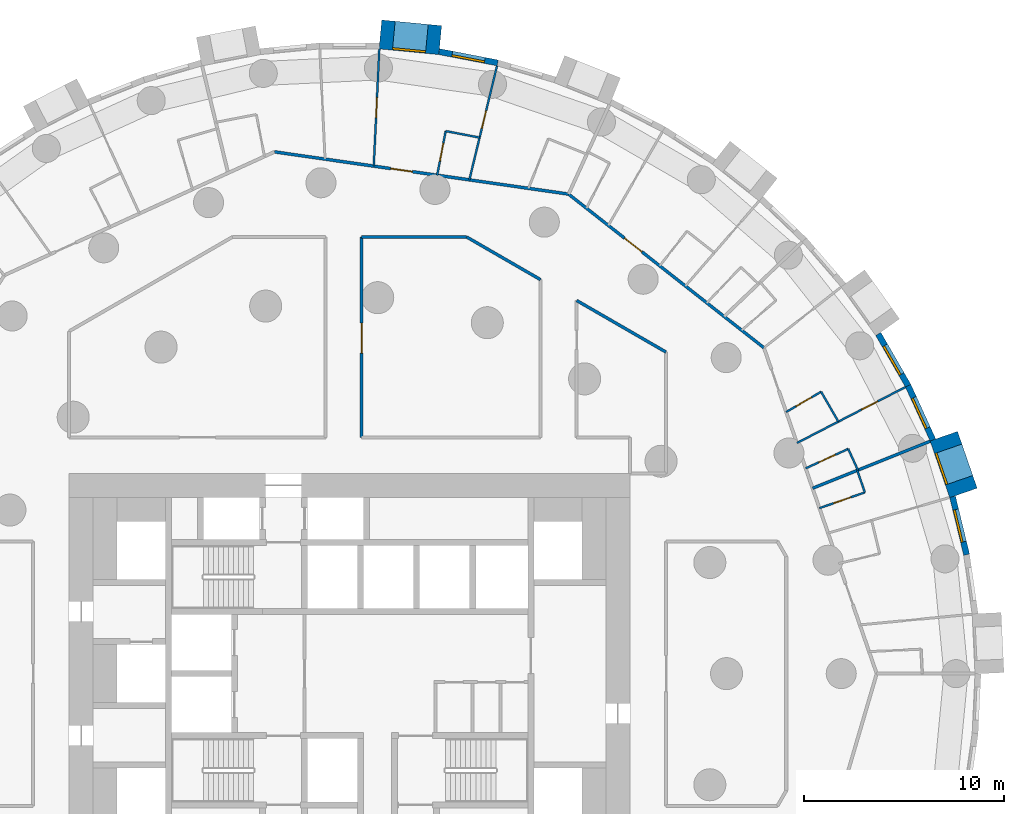
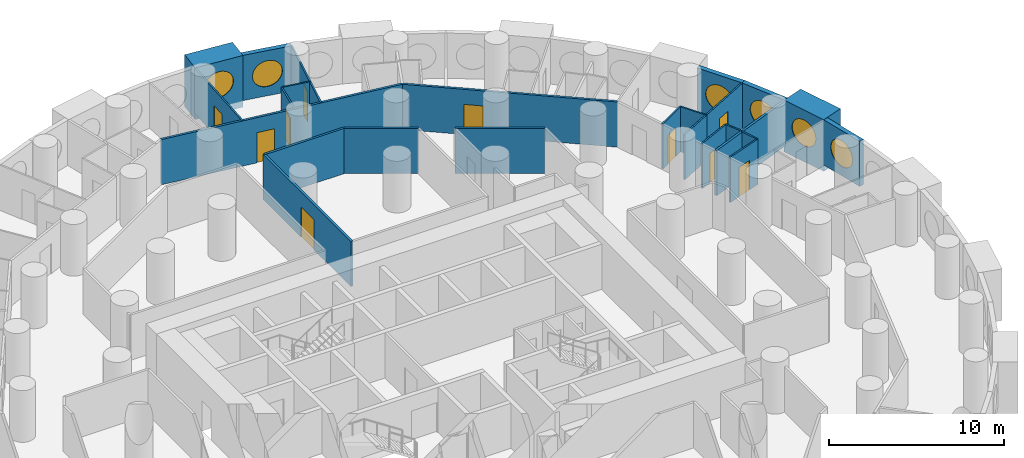
# One storey, part 9 of 12: 27 walls, 10 doors, 6 windows, 16 openings.
"""IFC4 building model written with IfcOpenShell, lengths in metres."""

import ifcopenshell
import ifcopenshell.guid

model = None  # the IFC model being written
_history = None  # IfcOwnerHistory: only IFC2X3 demands one
_inside = {}  # id of a spatial element -> (the spatial element, [elements in it])
_under = {}  # id of a project, library or spatial element -> (it, [spatial elements below it])
_declared = {}  # id of a project -> (the project, [libraries it declares])
_typed = {}  # id of a type object -> (the type object, [elements of that type])
_made_of = {}  # id of a material, layer set ... -> (it, [elements and type objects made of it])


def new_model(schema):
    """Start an empty IFC model of exactly this schema.

    Asked for "IFC4X3", IfcOpenShell would pick the latest addendum, in which some entities
    have other attributes; the version numbers below select the first issue.
    IFC2X3 requires an IfcOwnerHistory on every rooted entity: one is made here for all.
    """
    global model, _history
    if schema == "IFC4X3":
        model = ifcopenshell.file(schema_version=(4, 3, 0, 0))
    else:
        model = ifcopenshell.file(schema=schema)
    _inside.clear()
    _under.clear()
    _declared.clear()
    _typed.clear()
    _made_of.clear()
    _history = None
    if model.schema == "IFC2X3":
        org = make("IfcOrganization", Name="unknown")
        user = make(
            "IfcPersonAndOrganization",
            ThePerson=make("IfcPerson", FamilyName="unknown"),
            TheOrganization=org,
        )
        app = make(
            "IfcApplication",
            ApplicationDeveloper=org,
            Version="unknown",
            ApplicationFullName="unknown",
            ApplicationIdentifier="unknown",
        )
        _history = make(
            "IfcOwnerHistory",
            OwningUser=user,
            OwningApplication=app,
            ChangeAction="ADDED",
            CreationDate=0,
        )
    return model


def make(cls, **values):
    """One entity of the class cls with the attributes given. An attribute that is None is left unset."""
    return model.create_entity(
        cls, **{name: value for name, value in values.items() if value is not None}
    )


def rooted(cls, **values):
    """An entity with a GlobalId (a new one), such as an element, a storey or a relation."""
    return make(cls, GlobalId=ifcopenshell.guid.new(), OwnerHistory=_history, **values)


def si_unit(unit_type, name, prefix=None):
    """IfcSIUnit, for example si_unit("LENGTHUNIT", "METRE", prefix="MILLI")."""
    return make("IfcSIUnit", UnitType=unit_type, Prefix=prefix, Name=name)


def assignment(units):
    """IfcUnitAssignment: the units of a project."""
    return None if units is None else make("IfcUnitAssignment", Units=units)


def point(xyz):
    """IfcCartesianPoint."""
    return None if xyz is None else make("IfcCartesianPoint", Coordinates=xyz)


def direction(xyz):
    """IfcDirection."""
    return None if xyz is None else make("IfcDirection", DirectionRatios=xyz)


def frame(location, z_axis=None, x_axis=None):
    """IfcAxis2Placement3D, a coordinate frame: its origin and axes. An axis left out is left unset."""
    return make(
        "IfcAxis2Placement3D",
        Location=point(location),
        Axis=direction(z_axis),
        RefDirection=direction(x_axis),
    )


def frame_2d(location, x_axis=None):
    """IfcAxis2Placement2D, a coordinate frame in the plane: its origin and x axis."""
    return make(
        "IfcAxis2Placement2D", Location=point(location), RefDirection=direction(x_axis)
    )


def origin():
    """The frame at (0, 0, 0) with its axes left unset."""
    return frame((0.0, 0.0, 0.0))


def origin_2d():
    """The frame at (0, 0) in the plane with its x axis left unset."""
    return frame_2d((0.0, 0.0))


def place(relative_to, where):
    """IfcLocalPlacement: puts the frame where relative to a parent placement (None: the world)."""
    return make(
        "IfcLocalPlacement", PlacementRelTo=relative_to, RelativePlacement=where
    )


def context(
    kind, dimensions, precision=None, world=None, true_north=None, identifier=None
):
    """IfcGeometricRepresentationContext, for example the 3D "Model" context."""
    return make(
        "IfcGeometricRepresentationContext",
        ContextIdentifier=identifier,
        ContextType=kind,
        CoordinateSpaceDimension=dimensions,
        Precision=precision,
        WorldCoordinateSystem=world,
        TrueNorth=true_north,
    )


def subcontext(parent, identifier, kind, view, scale=None):
    """IfcGeometricRepresentationSubContext, for example "Body" below "Model"."""
    return make(
        "IfcGeometricRepresentationSubContext",
        ContextIdentifier=identifier,
        ContextType=kind,
        ParentContext=parent,
        TargetScale=scale,
        TargetView=view,
    )


def project(units=None, contexts=None):
    """IfcProject with its units and contexts."""
    return rooted(
        "IfcProject",
        Name="project",
        RepresentationContexts=contexts,
        UnitsInContext=assignment(units),
    )


def spatial(cls, under=None, at=None, **own):
    """A site, building, storey or space (cls), placed at a placement, below another one or the project."""
    s = rooted(cls, ObjectPlacement=at, **own)
    if under is not None:
        _under.setdefault(under.id(), (under, []))[1].append(s)
    return s


def profile(cls, at=None, kind="AREA", **sizes):
    """A parametric profile (cls). Its sizes go by their IFC names, for example OverallWidth=200.0."""
    return make(cls, ProfileType=kind, Position=at, **sizes)


def rectangle(**sizes):
    """IfcRectangleProfileDef."""
    return profile("IfcRectangleProfileDef", **sizes)


def circle(**sizes):
    """IfcCircleProfileDef."""
    return profile("IfcCircleProfileDef", **sizes)


def extrude(swept, where, along, depth):
    """IfcExtrudedAreaSolid: the profile swept, set in the frame where, extruded along a direction by depth."""
    return make(
        "IfcExtrudedAreaSolid",
        SweptArea=swept,
        Position=where,
        ExtrudedDirection=direction(along),
        Depth=depth,
    )


def shape(context_of_items, identifier, shape_type, items):
    """IfcShapeRepresentation: the items that make up one representation, for example the "Body"."""
    return make(
        "IfcShapeRepresentation",
        ContextOfItems=context_of_items,
        RepresentationIdentifier=identifier,
        RepresentationType=shape_type,
        Items=items,
    )


def material(Name=None, Category=None):
    """IfcMaterial."""
    return make("IfcMaterial", Name=Name, Category=Category)


def layer(
    of_material, thickness, ventilated=None, Name=None, Category=None, Priority=None
):
    """IfcMaterialLayer: one layer of a wall or slab, of a material (None: an air gap)."""
    return make(
        "IfcMaterialLayer",
        Material=of_material,
        LayerThickness=thickness,
        IsVentilated=ventilated,
        Name=Name,
        Category=Category,
        Priority=Priority,
    )


def layer_set(layers, Name=None):
    """IfcMaterialLayerSet."""
    return make("IfcMaterialLayerSet", MaterialLayers=layers, LayerSetName=Name)


def made_of(thing, what):
    """Note that an element or type object is made of a material, layer set ...; save() writes the relation."""
    if what is not None:
        _made_of.setdefault(what.id(), (what, []))[1].append(thing)
    return thing


def type_object(cls, material=None, **own):
    """A type object (cls), such as IfcWallType, which elements share."""
    return made_of(rooted(cls, **own), material)


def element(
    cls,
    number,
    at=None,
    inside=None,
    cuts=None,
    type_object=None,
    material=None,
    context=None,
    identifier="Body",
    shape_type=None,
    held_by="IfcProductDefinitionShape",
    body=None,
    shapes=None,
    **own,
):
    """One element of the class cls, such as IfcWall. Its Tag is "e" and its number.

    at: its placement. inside: the storey or other place that contains it. cuts: it is an
    opening in that element (IfcRelVoidsElement). A single representation is given by context,
    identifier, shape_type and body (its items); several are given by shapes. held_by: the class
    of the entity that holds the representations. save() writes the other relations.
    """
    e = rooted(cls, Tag="e%d" % number, ObjectPlacement=at, **own)
    if body is not None:
        shapes = [shape(context, identifier, shape_type, body)]
    if shapes is not None:
        e.Representation = make(held_by, Representations=shapes)
    if inside is not None:
        _inside.setdefault(inside.id(), (inside, []))[1].append(e)
    if cuts is not None:
        rooted(
            "IfcRelVoidsElement", RelatingBuildingElement=cuts, RelatedOpeningElement=e
        )
    if type_object is not None:
        _typed.setdefault(type_object.id(), (type_object, []))[1].append(e)
    return made_of(e, material)


def fill(opening, filler):
    """IfcRelFillsElement: the door or window that sits in an opening."""
    return rooted(
        "IfcRelFillsElement",
        RelatingOpeningElement=opening,
        RelatedBuildingElement=filler,
    )


def aggregate(whole, parts):
    """IfcRelAggregates: a whole, such as a stair, and the parts it consists of."""
    return rooted("IfcRelAggregates", RelatingObject=whole, RelatedObjects=parts)


def save(model, path):
    """Write the relations noted so far, then the file.

    IfcRelAggregates (storeys below a building ...), IfcRelContainedInSpatialStructure (elements
    in a storey), IfcRelDefinesByType, IfcRelAssociatesMaterial and IfcRelDeclares: one each for
    every whole, place, type object, material and project.
    """
    for whole, parts in _under.values():
        aggregate(whole, parts)
    for where, things in _inside.values():
        rooted(
            "IfcRelContainedInSpatialStructure",
            RelatedElements=things,
            RelatingStructure=where,
        )
    for kind, things in _typed.values():
        rooted("IfcRelDefinesByType", RelatedObjects=things, RelatingType=kind)
    for what, things in _made_of.values():
        rooted("IfcRelAssociatesMaterial", RelatedObjects=things, RelatingMaterial=what)
    for by, libraries in _declared.values():
        rooted("IfcRelDeclares", RelatingContext=by, RelatedDefinitions=libraries)
    model.write(path)


model = new_model("IFC4")

# Units and contexts
model_context = context("Model", 3, precision=1e-05, world=origin(), true_north=direction((0.0, 1.0)))
body_context = subcontext(model_context, "Body", "Model", "MODEL_VIEW")
ifc_project = project(units=[si_unit("LENGTHUNIT", "METRE"), si_unit("AREAUNIT", "SQUARE_METRE"), si_unit("VOLUMEUNIT", "CUBIC_METRE"), si_unit("PLANEANGLEUNIT", "RADIAN"), si_unit("MASSUNIT", "GRAM", prefix="KILO")], contexts=[model_context])

# Site, building, storey
site_placement = place(None, origin())
site = spatial("IfcSite", under=ifc_project, at=site_placement, CompositionType="ELEMENT")
building_placement = place(site_placement, origin())
building = spatial("IfcBuilding", under=site, at=building_placement, Name="Tracery Tower", CompositionType="ELEMENT")
storey_placement = place(building_placement, frame((0.0, 0.0, 39.0)))
storey = spatial("IfcBuildingStorey", under=building, at=storey_placement, Name="L08", CompositionType="ELEMENT", Elevation=39.0)

# Wall, opening, window
ifc_material_1 = material(Name="Precast concrete C50/60", Category="concrete")
ifc_layer_1 = layer(ifc_material_1, 1.449951171875)
ifc_layer_set_1 = layer_set([ifc_layer_1], Name="Deep-set bay unit 3000 x 3600, slab edge 450")
wall_type_1 = type_object("IfcWallType", Name="Deep-set bay unit 3000 x 3600, slab edge 450", PredefinedType="ELEMENTEDWALL", material=ifc_layer_set_1)
wall_1_placement = place(storey_placement, frame((30.649169921875, 9.0205078125, -0.449951171875), z_axis=(0.0, 0.0, 1.0), x_axis=(-0.327071431777, 0.944999618262, 0.0)))
wall_1 = element("IfcWall", 1, at=wall_1_placement, inside=storey, type_object=wall_type_1, Name="Deep-set bay unit 4 at L08", PredefinedType="ELEMENTEDWALL", context=body_context, shape_type="SweptSolid", body=[
    extrude(rectangle(XDim=3.0, YDim=1.449951171875, at=frame_2d((1.5, 0.0))), origin(), (0.0, 0.0, 1.0), 3.599853515625),
])
opening_1_placement = place(wall_1_placement, frame((1.5, 0.0, 2.0)))
opening_1 = element("IfcOpeningElement", 2, at=opening_1_placement, cuts=wall_1, Name="Opening WN1", PredefinedType="OPENING", context=body_context, shape_type="SweptSolid", body=[
    extrude(circle(Radius=0.9000244140625, at=origin_2d()), frame((0.0, 0.73486328125, 0.0), z_axis=(0.0, -1.0, 0.0), x_axis=(1.0, 0.0, 0.0)), (0.0, 0.0, 1.0), 1.469970703125),
])
ifc_material_2 = material(Name="Aluminium frame with tinted double glazing", Category="aluminium")
window_type = type_object("IfcWindowType", Name="Round window 1800", PartitioningType="SINGLE_PANEL", PredefinedType="WINDOW", material=ifc_material_2)
window_1_placement = place(opening_1_placement, origin())
window_1 = element("IfcWindow", 3, at=window_1_placement, inside=storey, type_object=window_type, Name="Round window 4 at L08", OverallHeight=1.800048828125, OverallWidth=1.800048828125, PartitioningType="SINGLE_PANEL", PredefinedType="WINDOW", context=body_context, shape_type="SweptSolid", body=[
    extrude(circle(Radius=0.9000244140625, at=origin_2d()), frame((0.0, 0.69482421875, 0.0), z_axis=(0.0, -1.0, 0.0), x_axis=(1.0, 0.0, 0.0)), (0.0, 0.0, 1.0), 0.10009765625),
])
fill(opening_1, window_1)

wall_2_placement = place(storey_placement, frame((4.52685546875, 31.626708984375, -0.449951171875), z_axis=(0.0, 0.0, 1.0), x_axis=(-0.995472768558, 0.09504718333, 0.0)))
wall_2 = element("IfcWall", 4, at=wall_2_placement, inside=storey, type_object=wall_type_1, Name="Deep-set bay unit 16 at L08", PredefinedType="ELEMENTEDWALL", context=body_context, shape_type="SweptSolid", body=[
    extrude(rectangle(XDim=3.000244140625, YDim=1.449951171875, at=frame_2d((1.5, 0.0))), origin(), (0.0, 0.0, 1.0), 3.599853515625),
])
opening_2_placement = place(wall_2_placement, frame((1.5, 0.0, 2.0)))
opening_2 = element("IfcOpeningElement", 5, at=opening_2_placement, cuts=wall_2, Name="Opening WN1", PredefinedType="OPENING", context=body_context, shape_type="SweptSolid", body=[
    extrude(circle(Radius=0.9000244140625, at=origin_2d()), frame((0.0, 0.73486328125, 0.0), z_axis=(0.0, -1.0, 0.0), x_axis=(1.0, 0.0, 0.0)), (0.0, 0.0, 1.0), 1.469970703125),
])
window_2_placement = place(opening_2_placement, origin())
window_2 = element("IfcWindow", 6, at=window_2_placement, inside=storey, type_object=window_type, Name="Round window 16 at L08", OverallHeight=1.800048828125, OverallWidth=1.800048828125, PartitioningType="SINGLE_PANEL", PredefinedType="WINDOW", context=body_context, shape_type="SweptSolid", body=[
    extrude(circle(Radius=0.9000244140625, at=origin_2d()), frame((0.0, 0.69482421875, 0.0), z_axis=(0.0, -1.0, 0.0), x_axis=(1.0, 0.0, 0.0)), (0.0, 0.0, 1.0), 0.10009765625),
])
fill(opening_2, window_2)

ifc_material_3 = material(Name="Precast concrete C50/60", Category="concrete")
ifc_layer_2 = layer(ifc_material_3, 0.300048828125)
ifc_layer_set_2 = layer_set([ifc_layer_2], Name="Facade panel 3000 x 3150")
wall_type_2 = type_object("IfcWallType", Name="Facade panel 3000 x 3150", PredefinedType="SOLIDWALL", material=ifc_layer_set_2)
wall_3_placement = place(storey_placement, frame((30.807373046875, 5.937744140625, 0.0), z_axis=(0.0, 0.0, 1.0), x_axis=(-0.235743081534, 0.971815414319, 0.0)))
wall_3 = element("IfcWall", 7, at=wall_3_placement, inside=storey, type_object=wall_type_2, Name="Facade panel 3 at L08", PredefinedType="SOLIDWALL", context=body_context, shape_type="SweptSolid", body=[
    extrude(rectangle(XDim=2.9794921875, YDim=0.300048828125, at=frame_2d((1.48974609375, 0.0))), origin(), (0.0, 0.0, 1.0), 3.14990234375),
])
opening_3_placement = place(wall_3_placement, frame((1.48974609375, 0.0, 1.5498046875)))
opening_3 = element("IfcOpeningElement", 8, at=opening_3_placement, cuts=wall_3, Name="Opening WN1", PredefinedType="OPENING", context=body_context, shape_type="SweptSolid", body=[
    extrude(circle(Radius=0.9000244140625, at=origin_2d()), frame((0.0, 0.159912109375, 0.0), z_axis=(0.0, -1.0, 0.0), x_axis=(1.0, 0.0, 0.0)), (0.0, 0.0, 1.0), 0.320068359375),
])
window_3_placement = place(opening_3_placement, origin())
window_3 = element("IfcWindow", 9, at=window_3_placement, inside=storey, type_object=window_type, Name="Round window 3 at L08", OverallHeight=1.800048828125, OverallWidth=1.800048828125, PartitioningType="SINGLE_PANEL", PredefinedType="WINDOW", context=body_context, shape_type="SweptSolid", body=[
    extrude(circle(Radius=0.9000244140625, at=origin_2d()), frame((0.0, 0.1201171875, 0.0), z_axis=(0.0, -1.0, 0.0), x_axis=(1.0, 0.0, 0.0)), (0.0, 0.0, 1.0), 0.10009765625),
])
fill(opening_3, window_3)

wall_4_placement = place(storey_placement, frame((29.12451171875, 11.666259765625, 0.0), z_axis=(0.0, 0.0, 1.0), x_axis=(-0.415407317162, 0.909635509888, 0.0)))
wall_4 = element("IfcWall", 10, at=wall_4_placement, inside=storey, type_object=wall_type_2, Name="Facade panel 5 at L08", PredefinedType="SOLIDWALL", context=body_context, shape_type="SweptSolid", body=[
    extrude(rectangle(XDim=2.979736328125, YDim=0.300048828125, at=frame_2d((1.48974609375, 0.0))), origin(), (0.0, 0.0, 1.0), 3.14990234375),
])
opening_4_placement = place(wall_4_placement, frame((1.48974609375, 0.0, 1.5498046875)))
opening_4 = element("IfcOpeningElement", 11, at=opening_4_placement, cuts=wall_4, Name="Opening WN1", PredefinedType="OPENING", context=body_context, shape_type="SweptSolid", body=[
    extrude(circle(Radius=0.9000244140625, at=origin_2d()), frame((0.0, 0.159912109375, 0.0), z_axis=(0.0, -1.0, 0.0), x_axis=(1.0, 0.0, 0.0)), (0.0, 0.0, 1.0), 0.320068359375),
])
window_4_placement = place(opening_4_placement, origin())
window_4 = element("IfcWindow", 12, at=window_4_placement, inside=storey, type_object=window_type, Name="Round window 5 at L08", OverallHeight=1.800048828125, OverallWidth=1.800048828125, PartitioningType="SINGLE_PANEL", PredefinedType="WINDOW", context=body_context, shape_type="SweptSolid", body=[
    extrude(circle(Radius=0.9000244140625, at=origin_2d()), frame((0.0, 0.1201171875, 0.0), z_axis=(0.0, -1.0, 0.0), x_axis=(1.0, 0.0, 0.0)), (0.0, 0.0, 1.0), 0.10009765625),
])
fill(opening_4, window_4)

wall_5_placement = place(storey_placement, frame((27.88671875, 14.376708984375, 0.0), z_axis=(0.0, 0.0, 1.0), x_axis=(-0.499999078476, 0.866025935826, 0.0)))
wall_5 = element("IfcWall", 13, at=wall_5_placement, inside=storey, type_object=wall_type_2, Name="Facade panel 6 at L08", PredefinedType="SOLIDWALL", context=body_context, shape_type="SweptSolid", body=[
    extrude(rectangle(XDim=2.9794921875, YDim=0.300048828125, at=frame_2d((1.48974609375, 0.0))), origin(), (0.0, 0.0, 1.0), 3.14990234375),
])
opening_5_placement = place(wall_5_placement, frame((1.48974609375, 0.0, 1.5498046875)))
opening_5 = element("IfcOpeningElement", 14, at=opening_5_placement, cuts=wall_5, Name="Opening WN1", PredefinedType="OPENING", context=body_context, shape_type="SweptSolid", body=[
    extrude(circle(Radius=0.9000244140625, at=origin_2d()), frame((0.0, 0.159912109375, 0.0), z_axis=(0.0, -1.0, 0.0), x_axis=(1.0, 0.0, 0.0)), (0.0, 0.0, 1.0), 0.320068359375),
])
window_5_placement = place(opening_5_placement, origin())
window_5 = element("IfcWindow", 15, at=window_5_placement, inside=storey, type_object=window_type, Name="Round window 6 at L08", OverallHeight=1.800048828125, OverallWidth=1.800048828125, PartitioningType="SINGLE_PANEL", PredefinedType="WINDOW", context=body_context, shape_type="SweptSolid", body=[
    extrude(circle(Radius=0.9000244140625, at=origin_2d()), frame((0.0, 0.1201171875, 0.0), z_axis=(0.0, -1.0, 0.0), x_axis=(1.0, 0.0, 0.0)), (0.0, 0.0, 1.0), 0.10009765625),
])
fill(opening_5, window_5)

wall_6_placement = place(storey_placement, frame((7.396728515625, 30.489990234375, 0.0), z_axis=(0.0, 0.0, 1.0), x_axis=(-0.981924535406, 0.189272836848, 0.0)))
wall_6 = element("IfcWall", 16, at=wall_6_placement, inside=storey, type_object=wall_type_2, Name="Facade panel 15 at L08", PredefinedType="SOLIDWALL", context=body_context, shape_type="SweptSolid", body=[
    extrude(rectangle(XDim=2.979736328125, YDim=0.300048828125, at=frame_2d((1.48974609375, 0.0))), origin(), (0.0, 0.0, 1.0), 3.14990234375),
])
opening_6_placement = place(wall_6_placement, frame((1.48974609375, 0.0, 1.5498046875)))
opening_6 = element("IfcOpeningElement", 17, at=opening_6_placement, cuts=wall_6, Name="Opening WN1", PredefinedType="OPENING", context=body_context, shape_type="SweptSolid", body=[
    extrude(circle(Radius=0.9000244140625, at=origin_2d()), frame((0.0, 0.159912109375, 0.0), z_axis=(0.0, -1.0, 0.0), x_axis=(1.0, 0.0, 0.0)), (0.0, 0.0, 1.0), 0.320068359375),
])
window_6_placement = place(opening_6_placement, origin())
window_6 = element("IfcWindow", 18, at=window_6_placement, inside=storey, type_object=window_type, Name="Round window 15 at L08", OverallHeight=1.800048828125, OverallWidth=1.800048828125, PartitioningType="SINGLE_PANEL", PredefinedType="WINDOW", context=body_context, shape_type="SweptSolid", body=[
    extrude(circle(Radius=0.9000244140625, at=origin_2d()), frame((0.0, 0.1201171875, 0.0), z_axis=(0.0, -1.0, 0.0), x_axis=(1.0, 0.0, 0.0)), (0.0, 0.0, 1.0), 0.10009765625),
])
fill(opening_6, window_6)

# Wall, opening, door
ifc_material_4 = material(Name="Plasterboard on steel studs", Category="steel")
ifc_layer_3 = layer(ifc_material_4, 0.10009765625)
ifc_layer_set_3 = layer_set([ifc_layer_3], Name="Partition 100 stud")
wall_type_3 = type_object("IfcWallType", Name="Partition 100 stud", PredefinedType="PARTITIONING", material=ifc_layer_set_3)
wall_7_placement = place(storey_placement, frame((24.404052734375, 12.58203125, 0.0), z_axis=(0.0, 0.0, 1.0), x_axis=(0.888877805079, 0.458144352403, 0.0)))
wall_7 = element("IfcWall", 19, at=wall_7_placement, inside=storey, type_object=wall_type_3, Name="Stud partition RA2-072", PredefinedType="PARTITIONING", context=body_context, shape_type="SweptSolid", body=[
    extrude(rectangle(XDim=3.767578125, YDim=0.10009765625, at=frame_2d((1.8837890625, 0.0))), origin(), (0.0, 0.0, 1.0), 3.14990234375),
])
opening_7_placement = place(wall_7_placement, frame((1.310546875, 0.0, 0.0)))
opening_7 = element("IfcOpeningElement", 20, at=opening_7_placement, cuts=wall_7, Name="Opening RA2-17", PredefinedType="OPENING", context=body_context, shape_type="SweptSolid", body=[
    extrude(rectangle(XDim=0.89990234375, YDim=2.10009765625, at=frame_2d((0.449951171875, 1.050048828125))), frame((0.0, 0.050048828125, 0.0), z_axis=(0.0, -1.0, 0.0), x_axis=(1.0, 0.0, 0.0)), (0.0, 0.0, 1.0), 0.10009765625),
])
ifc_material_5 = material(Name="Timber door leaf", Category="wood")
door_type_1 = type_object("IfcDoorType", Name="Door bedroom 900", OperationType="NOTDEFINED", PredefinedType="DOOR", material=ifc_material_5)
door_1_placement = place(opening_7_placement, origin())
door_1 = element("IfcDoor", 21, at=door_1_placement, inside=storey, type_object=door_type_1, Name="Bedroom door RA2-17", OperationType="SINGLE_SWING_RIGHT", OverallHeight=2.10009765625, OverallWidth=0.89990234375, PredefinedType="DOOR", context=body_context, shape_type="SweptSolid", body=[
    extrude(rectangle(XDim=0.89990234375, YDim=2.10009765625, at=frame_2d((0.449951171875, 1.050048828125))), frame((0.0, 0.02490234375, 0.0), z_axis=(0.0, -1.0, 0.0), x_axis=(1.0, 0.0, 0.0)), (0.0, 0.0, 1.0), 0.050048828125),
])
fill(opening_7, door_1)

wall_8_placement = place(storey_placement, frame((1.20703125, 25.339111328125, 0.0), z_axis=(0.0, 0.0, 1.0), x_axis=(0.047648334785, 0.998864173045, 0.0)))
wall_8 = element("IfcWall", 22, at=wall_8_placement, inside=storey, type_object=wall_type_3, Name="Stud partition RA2-090", PredefinedType="PARTITIONING", context=body_context, shape_type="SweptSolid", body=[
    extrude(rectangle(XDim=5.8564453125, YDim=0.10009765625, at=frame_2d((2.92822265625, 0.0))), origin(), (0.0, 0.0, 1.0), 3.14990234375),
])
opening_8_placement = place(wall_8_placement, frame((2.427978515625, 0.0, 0.0)))
opening_8 = element("IfcOpeningElement", 23, at=opening_8_placement, cuts=wall_8, Name="Opening RA2-28", PredefinedType="OPENING", context=body_context, shape_type="SweptSolid", body=[
    extrude(rectangle(XDim=1.0, YDim=2.0400390625, at=frame_2d((0.5, 1.02001953125))), frame((0.0, 0.050048828125, 0.0), z_axis=(0.0, -1.0, 0.0), x_axis=(1.0, 0.0, 0.0)), (0.0, 0.0, 1.0), 0.10009765625),
])
ifc_material_6 = material(Name="Timber door leaf", Category="wood")
door_type_2 = type_object("IfcDoorType", Name="Door communal room 1000", OperationType="NOTDEFINED", PredefinedType="DOOR", material=ifc_material_6)
door_2_placement = place(opening_8_placement, origin())
door_2 = element("IfcDoor", 24, at=door_2_placement, inside=storey, type_object=door_type_2, Name="Communal room door RA2-28", OperationType="SINGLE_SWING_LEFT", OverallHeight=2.0400390625, OverallWidth=1.0, PredefinedType="DOOR", context=body_context, shape_type="SweptSolid", body=[
    extrude(rectangle(XDim=1.0, YDim=2.0400390625, at=frame_2d((0.5, 1.02001953125))), frame((0.0, 0.02490234375, 0.0), z_axis=(0.0, -1.0, 0.0), x_axis=(1.0, 0.0, 0.0)), (0.0, 0.0, 1.0), 0.050048828125),
])
fill(opening_8, door_2)

wall_9_placement = place(storey_placement, frame((6.491943359375, 26.761962890625, 0.0), z_axis=(0.0, 0.0, 1.0), x_axis=(0.235797175218, 0.971802290674, 0.0)))
wall_9 = element("IfcWall", 25, at=wall_9_placement, inside=storey, type_object=wall_type_3, Name="Stud partition RA2-093", PredefinedType="PARTITIONING", context=body_context, shape_type="SweptSolid", body=[
    extrude(rectangle(XDim=3.68603515625, YDim=0.10009765625, at=frame_2d((1.843017578125, 0.0))), origin(), (0.0, 0.0, 1.0), 3.14990234375),
])
opening_9_placement = place(wall_9_placement, frame((0.473876953125, 0.0, 0.0)))
opening_9 = element("IfcOpeningElement", 26, at=opening_9_placement, cuts=wall_9, Name="Opening RA2-30", PredefinedType="OPENING", context=body_context, shape_type="SweptSolid", body=[
    extrude(rectangle(XDim=0.89990234375, YDim=2.10009765625, at=frame_2d((0.449951171875, 1.050048828125))), frame((0.0, 0.050048828125, 0.0), z_axis=(0.0, -1.0, 0.0), x_axis=(1.0, 0.0, 0.0)), (0.0, 0.0, 1.0), 0.10009765625),
])
door_3_placement = place(opening_9_placement, origin())
door_3 = element("IfcDoor", 27, at=door_3_placement, inside=storey, type_object=door_type_1, Name="Bedroom door RA2-30", OperationType="SINGLE_SWING_RIGHT", OverallHeight=2.10009765625, OverallWidth=0.89990234375, PredefinedType="DOOR", context=body_context, shape_type="SweptSolid", body=[
    extrude(rectangle(XDim=0.89990234375, YDim=2.10009765625, at=frame_2d((0.449951171875, 1.050048828125))), frame((0.0, 0.02490234375, 0.0), z_axis=(0.0, -1.0, 0.0), x_axis=(1.0, 0.0, 0.0)), (0.0, 0.0, 1.0), 0.050048828125),
])
fill(opening_9, door_3)

ifc_material_7 = material(Name="Plasterboard on steel studs", Category="steel")
ifc_layer_4 = layer(ifc_material_7, 0.10009765625)
ifc_layer_set_4 = layer_set([ifc_layer_4], Name="Partition 100 wet wall")
wall_type_4 = type_object("IfcWallType", Name="Partition 100 wet wall", PredefinedType="PARTITIONING", material=ifc_layer_set_4)
wall_10_placement = place(storey_placement, frame((23.458984375, 8.262939453125, 0.0), z_axis=(0.0, 0.0, 1.0), x_axis=(0.944978817091, 0.327131525917, 0.0)))
wall_10 = element("IfcWall", 28, at=wall_10_placement, inside=storey, type_object=wall_type_4, Name="Wet wall RA2-066", PredefinedType="PARTITIONING", context=body_context, shape_type="SweptSolid", body=[
    extrude(rectangle(XDim=2.400146484375, YDim=0.10009765625, at=frame_2d((1.2001953125, 0.0))), origin(), (0.0, 0.0, 1.0), 3.14990234375),
])
opening_10_placement = place(wall_10_placement, frame((0.75, 0.0, 0.0)))
opening_10 = element("IfcOpeningElement", 29, at=opening_10_placement, cuts=wall_10, Name="Opening RA2-14", PredefinedType="OPENING", context=body_context, shape_type="SweptSolid", body=[
    extrude(rectangle(XDim=0.89990234375, YDim=2.0400390625, at=frame_2d((0.449951171875, 1.02001953125))), frame((0.0, 0.050048828125, 0.0), z_axis=(0.0, -1.0, 0.0), x_axis=(1.0, 0.0, 0.0)), (0.0, 0.0, 1.0), 0.10009765625),
])
ifc_material_8 = material(Name="Timber door leaf", Category="wood")
door_type_3 = type_object("IfcDoorType", Name="Door en-suite 900", OperationType="NOTDEFINED", PredefinedType="DOOR", material=ifc_material_8)
door_4_placement = place(opening_10_placement, origin())
door_4 = element("IfcDoor", 30, at=door_4_placement, inside=storey, type_object=door_type_3, Name="En-suite door RA2-14", OperationType="SINGLE_SWING_LEFT", OverallHeight=2.0400390625, OverallWidth=0.89990234375, PredefinedType="DOOR", context=body_context, shape_type="SweptSolid", body=[
    extrude(rectangle(XDim=0.89990234375, YDim=2.0400390625, at=frame_2d((0.449951171875, 1.02001953125))), frame((0.0, 0.02490234375, 0.0), z_axis=(0.0, -1.0, 0.0), x_axis=(1.0, 0.0, 0.0)), (0.0, 0.0, 1.0), 0.050048828125),
])
fill(opening_10, door_4)

# Walls
wall_11_placement = place(storey_placement, frame((25.345947265625, 10.14697265625, 0.0), z_axis=(0.0, 0.0, 1.0), x_axis=(0.327665639351, -0.944793749338, 0.0)))
element("IfcWall", 31, at=wall_11_placement, inside=storey, type_object=wall_type_4, Name="Wet wall RA2-067", PredefinedType="PARTITIONING", context=body_context, shape_type="SweptSolid", body=[
    extrude(rectangle(XDim=1.1630859375, YDim=0.10009765625, at=frame_2d((0.58154296875, 0.0))), origin(), (0.0, 0.0, 1.0), 3.14990234375),
])
wall_12_placement = place(storey_placement, frame((23.5439453125, 14.072021484375, 0.0), z_axis=(0.0, 0.0, 1.0), x_axis=(0.499939472521, -0.866060346521, 0.0)))
element("IfcWall", 32, at=wall_12_placement, inside=storey, type_object=wall_type_4, Name="Wet wall RA2-070", PredefinedType="PARTITIONING", context=body_context, shape_type="SweptSolid", body=[
    extrude(rectangle(XDim=1.720458984375, YDim=0.10009765625, at=frame_2d((0.8603515625, 0.0))), origin(), (0.0, 0.0, 1.0), 3.14990234375),
])

# Wall, opening, door
wall_13_placement = place(storey_placement, frame((21.798095703125, 13.06298828125, 0.0), z_axis=(0.0, 0.0, 1.0), x_axis=(0.865796302872, 0.500396604638, 0.0)))
wall_13 = element("IfcWall", 33, at=wall_13_placement, inside=storey, type_object=wall_type_4, Name="Wet wall RA2-071", PredefinedType="PARTITIONING", context=body_context, shape_type="SweptSolid", body=[
    extrude(rectangle(XDim=2.016357421875, YDim=0.10009765625, at=frame_2d((1.00830078125, 0.0))), origin(), (0.0, 0.0, 1.0), 3.14990234375),
])
opening_11_placement = place(wall_13_placement, frame((0.55859375, 0.0, 0.0)))
opening_11 = element("IfcOpeningElement", 34, at=opening_11_placement, cuts=wall_13, Name="Opening RA2-16", PredefinedType="OPENING", context=body_context, shape_type="SweptSolid", body=[
    extrude(rectangle(XDim=0.89990234375, YDim=2.0, at=frame_2d((0.449951171875, 1.0))), frame((0.0, 0.050048828125, 0.0), z_axis=(0.0, -1.0, 0.0), x_axis=(1.0, 0.0, 0.0)), (0.0, 0.0, 1.0), 0.10009765625),
])
ifc_material_9 = material(Name="Timber door leaf", Category="wood")
door_type_4 = type_object("IfcDoorType", Name="Door shower room 900", OperationType="NOTDEFINED", PredefinedType="DOOR", material=ifc_material_9)
door_5_placement = place(opening_11_placement, origin())
door_5 = element("IfcDoor", 35, at=door_5_placement, inside=storey, type_object=door_type_4, Name="Shower room door RA2-16", OperationType="SINGLE_SWING_LEFT", OverallHeight=2.0, OverallWidth=0.89990234375, PredefinedType="DOOR", context=body_context, shape_type="SweptSolid", body=[
    extrude(rectangle(XDim=0.89990234375, YDim=2.0, at=frame_2d((0.449951171875, 1.0))), frame((0.0, 0.02490234375, 0.0), z_axis=(0.0, -1.0, 0.0), x_axis=(1.0, 0.0, 0.0)), (0.0, 0.0, 1.0), 0.050048828125),
])
fill(opening_11, door_5)

# Walls
wall_14_placement = place(storey_placement, frame((22.333984375, 11.513916015625, 0.0), z_axis=(0.0, 0.0, 1.0), x_axis=(0.888674390259, 0.45853879672, 0.0)))
element("IfcWall", 36, at=wall_14_placement, inside=storey, type_object=wall_type_4, Name="Wet wall RA2-074", PredefinedType="PARTITIONING", context=body_context, shape_type="SweptSolid", body=[
    extrude(rectangle(XDim=2.329345703125, YDim=0.10009765625, at=frame_2d((1.16455078125, 0.0))), origin(), (0.0, 0.0, 1.0), 3.14990234375),
])
wall_15_placement = place(storey_placement, frame((24.89599609375, 11.219970703125, 0.0), z_axis=(0.0, 0.0, 1.0), x_axis=(0.415254658207, -0.909705209855, 0.0)))
element("IfcWall", 37, at=wall_15_placement, inside=storey, type_object=wall_type_4, Name="Wet wall RA2-075", PredefinedType="PARTITIONING", context=body_context, shape_type="SweptSolid", body=[
    extrude(rectangle(XDim=1.165283203125, YDim=0.10009765625, at=frame_2d((0.58251953125, 0.0))), origin(), (0.0, 0.0, 1.0), 3.14990234375),
])

# Wall, opening, door
wall_16_placement = place(storey_placement, frame((22.77099609375, 10.25, 0.0), z_axis=(0.0, 0.0, 1.0), x_axis=(0.909710320081, 0.415243462969, 0.0)))
wall_16 = element("IfcWall", 38, at=wall_16_placement, inside=storey, type_object=wall_type_4, Name="Wet wall RA2-076", PredefinedType="PARTITIONING", context=body_context, shape_type="SweptSolid", body=[
    extrude(rectangle(XDim=2.3359375, YDim=0.10009765625, at=frame_2d((1.16796875, 0.0))), origin(), (0.0, 0.0, 1.0), 3.14990234375),
])
opening_12_placement = place(wall_16_placement, frame((0.718017578125, 0.0, 0.0)))
opening_12 = element("IfcOpeningElement", 39, at=opening_12_placement, cuts=wall_16, Name="Opening RA2-18", PredefinedType="OPENING", context=body_context, shape_type="SweptSolid", body=[
    extrude(rectangle(XDim=0.89990234375, YDim=2.0400390625, at=frame_2d((0.449951171875, 1.02001953125))), frame((0.0, 0.050048828125, 0.0), z_axis=(0.0, -1.0, 0.0), x_axis=(1.0, 0.0, 0.0)), (0.0, 0.0, 1.0), 0.10009765625),
])
door_6_placement = place(opening_12_placement, origin())
door_6 = element("IfcDoor", 40, at=door_6_placement, inside=storey, type_object=door_type_3, Name="En-suite door RA2-18", OperationType="SINGLE_SWING_RIGHT", OverallHeight=2.0400390625, OverallWidth=0.89990234375, PredefinedType="DOOR", context=body_context, shape_type="SweptSolid", body=[
    extrude(rectangle(XDim=0.89990234375, YDim=2.0400390625, at=frame_2d((0.449951171875, 1.02001953125))), frame((0.0, 0.02490234375, 0.0), z_axis=(0.0, -1.0, 0.0), x_axis=(1.0, 0.0, 0.0)), (0.0, 0.0, 1.0), 0.050048828125),
])
fill(opening_12, door_6)

# Wall
wall_17_placement = place(storey_placement, frame((4.799072265625, 27.087890625, 0.0), z_axis=(0.0, 0.0, 1.0), x_axis=(0.981966020483, -0.189057490243, 0.0)))
element("IfcWall", 41, at=wall_17_placement, inside=storey, type_object=wall_type_4, Name="Wet wall RA2-091", PredefinedType="PARTITIONING", context=body_context, shape_type="SweptSolid", body=[
    extrude(rectangle(XDim=1.723876953125, YDim=0.10009765625, at=frame_2d((0.86181640625, 0.0))), origin(), (0.0, 0.0, 1.0), 3.14990234375),
])

# Wall, opening, door
wall_18_placement = place(storey_placement, frame((4.3740234375, 24.883056640625, 0.0), z_axis=(0.0, 0.0, 1.0), x_axis=(0.189295003519, 0.981920262365, 0.0)))
wall_18 = element("IfcWall", 42, at=wall_18_placement, inside=storey, type_object=wall_type_4, Name="Wet wall RA2-092", PredefinedType="PARTITIONING", context=body_context, shape_type="SweptSolid", body=[
    extrude(rectangle(XDim=2.245361328125, YDim=0.10009765625, at=frame_2d((1.12255859375, 0.0))), origin(), (0.0, 0.0, 1.0), 3.14990234375),
])
opening_13_placement = place(wall_18_placement, frame((0.72265625, 0.0, 0.0)))
opening_13 = element("IfcOpeningElement", 43, at=opening_13_placement, cuts=wall_18, Name="Opening RA2-29", PredefinedType="OPENING", context=body_context, shape_type="SweptSolid", body=[
    extrude(rectangle(XDim=0.89990234375, YDim=2.0, at=frame_2d((0.449951171875, 1.0))), frame((0.0, 0.050048828125, 0.0), z_axis=(0.0, -1.0, 0.0), x_axis=(1.0, 0.0, 0.0)), (0.0, 0.0, 1.0), 0.10009765625),
])
door_7_placement = place(opening_13_placement, origin())
door_7 = element("IfcDoor", 44, at=door_7_placement, inside=storey, type_object=door_type_4, Name="Shower room door RA2-29", OperationType="SINGLE_SWING_LEFT", OverallHeight=2.0, OverallWidth=0.89990234375, PredefinedType="DOOR", context=body_context, shape_type="SweptSolid", body=[
    extrude(rectangle(XDim=0.89990234375, YDim=2.0, at=frame_2d((0.449951171875, 1.0))), frame((0.0, 0.02490234375, 0.0), z_axis=(0.0, -1.0, 0.0), x_axis=(1.0, 0.0, 0.0)), (0.0, 0.0, 1.0), 0.050048828125),
])
fill(opening_13, door_7)

# Walls
wall_19_placement = place(storey_placement, frame((5.98095703125, 24.652099609375, 0.0), z_axis=(0.0, 0.0, 1.0), x_axis=(0.235384360709, 0.971902362757, 0.0)))
element("IfcWall", 45, at=wall_19_placement, inside=storey, type_object=wall_type_4, Name="Wet wall RA2-095", PredefinedType="PARTITIONING", context=body_context, shape_type="SweptSolid", body=[
    extrude(rectangle(XDim=2.1708984375, YDim=0.10009765625, at=frame_2d((1.08544921875, 0.0))), origin(), (0.0, 0.0, 1.0), 3.14990234375),
])
ifc_material_10 = material(Name="Plasterboard on steel studs", Category="steel")
ifc_layer_5 = layer(ifc_material_10, 0.14990234375)
ifc_layer_set_5 = layer_set([ifc_layer_5], Name="Partition 150 acoustic unit wall")
wall_type_5 = type_object("IfcWallType", Name="Partition 150 acoustic unit wall", PredefinedType="PARTITIONING", material=ifc_layer_set_5)
wall_20_placement = place(storey_placement, frame((25.3759765625, 10.158935546875, 0.0), z_axis=(0.0, 0.0, 1.0), x_axis=(0.928368463908, 0.371661129553, 0.0)))
element("IfcWall", 46, at=wall_20_placement, inside=storey, type_object=wall_type_5, Name="Unit wall RA2-068", PredefinedType="PARTITIONING", context=body_context, shape_type="SweptSolid", body=[
    extrude(rectangle(XDim=3.890869140625, YDim=0.14990234375, at=frame_2d((1.9453125, 0.0))), origin(), (0.0, 0.0, 1.0), 3.14990234375),
])
wall_21_placement = place(storey_placement, frame((23.115966796875, 9.25390625, 0.0), z_axis=(0.0, 0.0, 1.0), x_axis=(0.928322407966, 0.371776151559, 0.0)))
element("IfcWall", 47, at=wall_21_placement, inside=storey, type_object=wall_type_5, Name="Unit wall RA2-069", PredefinedType="PARTITIONING", context=body_context, shape_type="SweptSolid", body=[
    extrude(rectangle(XDim=2.402099609375, YDim=0.14990234375, at=frame_2d((1.201171875, 0.0))), origin(), (0.0, 0.0, 1.0), 3.14990234375),
])

# Wall, opening, door
ifc_material_11 = material(Name="Plasterboard on steel studs", Category="steel")
ifc_layer_6 = layer(ifc_material_11, 0.14990234375)
ifc_layer_set_6 = layer_set([ifc_layer_6], Name="Partition 150 corridor wall")
wall_type_6 = type_object("IfcWallType", Name="Partition 150 corridor wall", PredefinedType="PARTITIONING", material=ifc_layer_set_6)
wall_22_placement = place(storey_placement, frame((10.93310546875, 23.93994140625, 0.0), z_axis=(0.0, 0.0, 1.0), x_axis=(0.786069782367, -0.618137765591, 0.0)))
wall_22 = element("IfcWall", 48, at=wall_22_placement, inside=storey, type_object=wall_type_6, Name="Corridor wall RA2-021", PredefinedType="PARTITIONING", context=body_context, shape_type="SweptSolid", body=[
    extrude(rectangle(XDim=12.40966796875, YDim=0.14990234375, at=frame_2d((6.204833984375, 0.0))), origin(), (0.0, 0.0, 1.0), 3.14990234375),
])
opening_14_placement = place(wall_22_placement, frame((3.558837890625, 0.0, 0.0)))
opening_14 = element("IfcOpeningElement", 49, at=opening_14_placement, cuts=wall_22, Name="Opening RA2-21", PredefinedType="OPENING", context=body_context, shape_type="SweptSolid", body=[
    extrude(rectangle(XDim=1.10009765625, YDim=2.10009765625, at=frame_2d((0.550048828125, 1.050048828125))), frame((0.0, 0.074951171875, 0.0), z_axis=(0.0, -1.0, 0.0), x_axis=(1.0, 0.0, 0.0)), (0.0, 0.0, 1.0), 0.14990234375),
])
ifc_material_12 = material(Name="Timber door leaf", Category="wood")
door_type_5 = type_object("IfcDoorType", Name="Door cluster entrance 1100", OperationType="NOTDEFINED", PredefinedType="DOOR", material=ifc_material_12)
door_8_placement = place(opening_14_placement, origin())
door_8 = element("IfcDoor", 50, at=door_8_placement, inside=storey, type_object=door_type_5, Name="Cluster entrance door RA2-21", OperationType="SINGLE_SWING_LEFT", OverallHeight=2.10009765625, OverallWidth=1.10009765625, PredefinedType="DOOR", context=body_context, shape_type="SweptSolid", body=[
    extrude(rectangle(XDim=1.10009765625, YDim=2.10009765625, at=frame_2d((0.550048828125, 1.050048828125))), frame((0.0, 0.02490234375, 0.0), z_axis=(0.0, -1.0, 0.0), x_axis=(1.0, 0.0, 0.0)), (0.0, 0.0, 1.0), 0.050048828125),
])
fill(opening_14, door_8)

# Walls
wall_23_placement = place(storey_placement, frame((5.842041015625, 21.802001953125, 0.0), z_axis=(0.0, 0.0, 1.0), x_axis=(0.865983505205, -0.500072563448, 0.0)))
element("IfcWall", 51, at=wall_23_placement, inside=storey, type_object=wall_type_6, Name="Corridor wall RA2-029", PredefinedType="PARTITIONING", context=body_context, shape_type="SweptSolid", body=[
    extrude(rectangle(XDim=4.265380859375, YDim=0.14990234375, at=frame_2d((2.1328125, 0.0))), origin(), (0.0, 0.0, 1.0), 3.14990234375),
])
wall_24_placement = place(storey_placement, frame((0.60791015625, 21.802001953125, 0.0), z_axis=(0.0, 0.0, 1.0), x_axis=(1.0, 0.0, 0.0)))
element("IfcWall", 52, at=wall_24_placement, inside=storey, type_object=wall_type_6, Name="Corridor wall RA2-030", PredefinedType="PARTITIONING", context=body_context, shape_type="SweptSolid", body=[
    extrude(rectangle(XDim=5.234130859375, YDim=0.14990234375, at=frame_2d((2.6171875, 0.0))), origin(), (0.0, 0.0, 1.0), 3.14990234375),
])

# Wall, opening, door
wall_25_placement = place(storey_placement, frame((0.60791015625, 11.800048828125, 0.0), z_axis=(0.0, 0.0, 1.0), x_axis=(0.0, 1.0, 0.0)))
wall_25 = element("IfcWall", 53, at=wall_25_placement, inside=storey, type_object=wall_type_6, Name="Corridor wall RA2-031", PredefinedType="PARTITIONING", context=body_context, shape_type="SweptSolid", body=[
    extrude(rectangle(XDim=10.001953125, YDim=0.14990234375, at=frame_2d((5.0009765625, 0.0))), origin(), (0.0, 0.0, 1.0), 3.14990234375),
])
opening_15_placement = place(wall_25_placement, frame((4.200927734375, 0.0, 0.0)))
opening_15 = element("IfcOpeningElement", 54, at=opening_15_placement, cuts=wall_25, Name="Opening RA2-02", PredefinedType="OPENING", context=body_context, shape_type="SweptSolid", body=[
    extrude(rectangle(XDim=1.5, YDim=2.10009765625, at=frame_2d((0.75, 1.050048828125))), frame((0.0, 0.074951171875, 0.0), z_axis=(0.0, -1.0, 0.0), x_axis=(1.0, 0.0, 0.0)), (0.0, 0.0, 1.0), 0.14990234375),
])
ifc_material_13 = material(Name="Timber door leaf", Category="wood")
door_type_6 = type_object("IfcDoorType", Name="Door double kitchen 1500", OperationType="NOTDEFINED", PredefinedType="DOOR", material=ifc_material_13)
door_9_placement = place(opening_15_placement, origin())
door_9 = element("IfcDoor", 55, at=door_9_placement, inside=storey, type_object=door_type_6, Name="Double kitchen door RA2-02", OperationType="DOUBLE_DOOR_SINGLE_SWING", OverallHeight=2.10009765625, OverallWidth=1.5, PredefinedType="DOOR", context=body_context, shape_type="SweptSolid", body=[
    extrude(rectangle(XDim=1.5, YDim=2.10009765625, at=frame_2d((0.75, 1.050048828125))), frame((0.0, 0.02490234375, 0.0), z_axis=(0.0, -1.0, 0.0), x_axis=(1.0, 0.0, 0.0)), (0.0, 0.0, 1.0), 0.050048828125),
])
fill(opening_15, door_9)

# Wall
wall_26_placement = place(storey_placement, frame((11.3359375, 18.6298828125, 0.0), z_axis=(0.0, 0.0, 1.0), x_axis=(0.866063337164, -0.499934291702, 0.0)))
element("IfcWall", 56, at=wall_26_placement, inside=storey, type_object=wall_type_6, Name="Corridor wall RA2-032", PredefinedType="PARTITIONING", context=body_context, shape_type="SweptSolid", body=[
    extrude(rectangle(XDim=5.154541015625, YDim=0.14990234375, at=frame_2d((2.5771484375, 0.0))), origin(), (0.0, 0.0, 1.0), 3.14990234375),
])

# Wall, opening, door
wall_27_placement = place(storey_placement, frame((-3.74609375, 26.0498046875, 0.0), z_axis=(0.0, 0.0, 1.0), x_axis=(0.989841871115, -0.14217267736, 0.0)))
wall_27 = element("IfcWall", 57, at=wall_27_placement, inside=storey, type_object=wall_type_6, Name="Corridor wall RA2-034", PredefinedType="PARTITIONING", context=body_context, shape_type="SweptSolid", body=[
    extrude(rectangle(XDim=14.829833984375, YDim=0.14990234375, at=frame_2d((7.4150390625, 0.0))), origin(), (0.0, 0.0, 1.0), 3.14990234375),
])
opening_16_placement = place(wall_27_placement, frame((5.85400390625, 0.0, 0.0)))
opening_16 = element("IfcOpeningElement", 58, at=opening_16_placement, cuts=wall_27, Name="Opening RA2-27", PredefinedType="OPENING", context=body_context, shape_type="SweptSolid", body=[
    extrude(rectangle(XDim=1.10009765625, YDim=2.10009765625, at=frame_2d((0.550048828125, 1.050048828125))), frame((0.0, 0.074951171875, 0.0), z_axis=(0.0, -1.0, 0.0), x_axis=(1.0, 0.0, 0.0)), (0.0, 0.0, 1.0), 0.14990234375),
])
door_10_placement = place(opening_16_placement, origin())
door_10 = element("IfcDoor", 59, at=door_10_placement, inside=storey, type_object=door_type_5, Name="Cluster entrance door RA2-27", OperationType="SINGLE_SWING_LEFT", OverallHeight=2.10009765625, OverallWidth=1.10009765625, PredefinedType="DOOR", context=body_context, shape_type="SweptSolid", body=[
    extrude(rectangle(XDim=1.10009765625, YDim=2.10009765625, at=frame_2d((0.550048828125, 1.050048828125))), frame((0.0, 0.02490234375, 0.0), z_axis=(0.0, -1.0, 0.0), x_axis=(1.0, 0.0, 0.0)), (0.0, 0.0, 1.0), 0.050048828125),
])
fill(opening_16, door_10)

save(model, "model.ifc")
